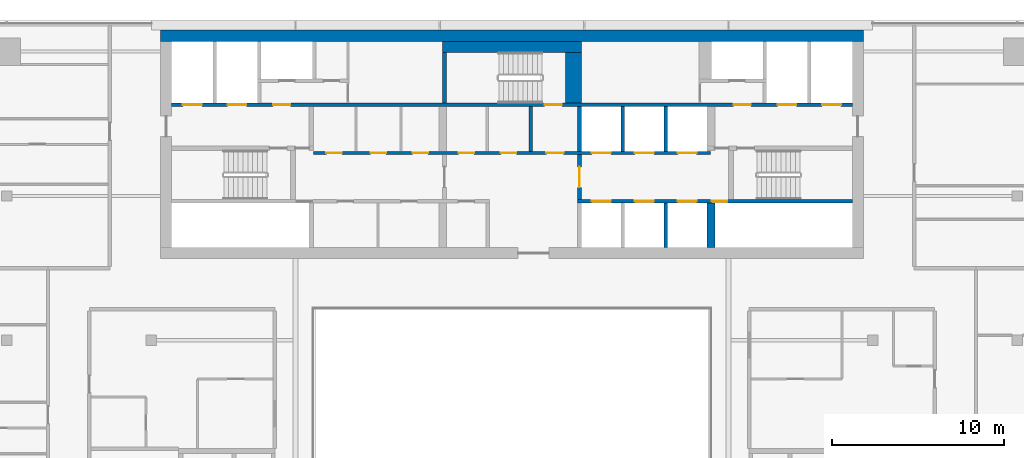
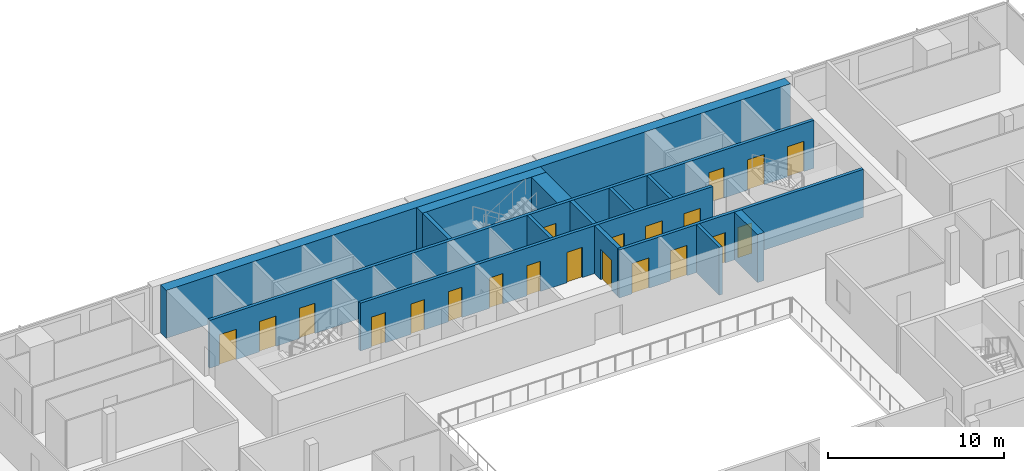
# One storey, part 21 of 28: 21 doors, 14 walls, 21 openings.
"""IFC4 building model written with IfcOpenShell, lengths in metres."""

from ifc_helpers import new_model, si_unit, direction, frame, frame_2d, origin, place, context, subcontext, project, spatial, rectangle, extrude, material, layer, layer_set, type_object, element, fill, save


model = new_model("IFC4")

# Units and contexts
model_context = context("Model", 3, precision=1e-05, world=origin(), true_north=direction((0.0, 1.0)))
body_context = subcontext(model_context, "Body", "Model", "MODEL_VIEW")
ifc_project = project(units=[si_unit("LENGTHUNIT", "METRE"), si_unit("AREAUNIT", "SQUARE_METRE"), si_unit("VOLUMEUNIT", "CUBIC_METRE"), si_unit("PLANEANGLEUNIT", "RADIAN"), si_unit("MASSUNIT", "GRAM", prefix="KILO")], contexts=[model_context])

# Site, building, storey
site_placement = place(None, origin())
site = spatial("IfcSite", under=ifc_project, at=site_placement, CompositionType="ELEMENT")
building_placement = place(site_placement, origin())
building = spatial("IfcBuilding", under=site, at=building_placement, Name="Saffron Gate Tower", CompositionType="ELEMENT")
storey_placement = place(building_placement, frame((0.0, 0.0, 241.5)))
storey = spatial("IfcBuildingStorey", under=building, at=storey_placement, Name="L59", CompositionType="ELEMENT", Elevation=241.5)

# Wall
ifc_material_1 = material(Name="Gypsum board partition on steel studs", Category="steel")
ifc_layer_1 = layer(ifc_material_1, 0.199951171875)
ifc_layer_set_1 = layer_set([ifc_layer_1], Name="CW10 Core partition 200")
wall_type_1 = type_object("IfcWallType", Name="CW10 Core partition 200", PredefinedType="PARTITIONING", material=ifc_layer_set_1)
wall_1_placement = place(storey_placement, frame((88.699951171875, 68.0, 0.0), z_axis=(0.0, 0.0, 1.0), x_axis=(0.0, 1.0, 0.0)))
element("IfcWall", 1, at=wall_1_placement, inside=storey, type_object=wall_type_1, Name="Wall CW10-L59-24", PredefinedType="PARTITIONING", context=body_context, shape_type="SweptSolid", body=[
    extrude(rectangle(XDim=2.60009765625, YDim=0.199951171875, at=frame_2d((1.300048828125, 0.0))), origin(), (0.0, 0.0, 1.0), 3.320068359375),
])

# Wall, opening, door
ifc_material_2 = material(Name="Concrete C60", Category="concrete")
ifc_layer_2 = layer(ifc_material_2, 0.25)
ifc_layer_set_2 = layer_set([ifc_layer_2], Name="CW14 RC core wall 250 C60")
wall_type_2 = type_object("IfcWallType", Name="CW14 RC core wall 250 C60", PredefinedType="SOLIDWALL", material=ifc_layer_set_2)
wall_2_placement = place(storey_placement, frame((91.52490234375, 65.199951171875, 0.0), z_axis=(0.0, 0.0, 1.0), x_axis=(0.0, 1.0, 0.0)))
wall_2 = element("IfcWall", 2, at=wall_2_placement, inside=storey, type_object=wall_type_2, Name="Wall CW14-L59-17", PredefinedType="SOLIDWALL", context=body_context, shape_type="SweptSolid", body=[
    extrude(rectangle(XDim=2.60009765625, YDim=0.25, at=frame_2d((1.300048828125, 0.0))), origin(), (0.0, 0.0, 1.0), 3.320068359375),
])
opening_1_placement = place(wall_2_placement, frame((0.699951171875, 0.0, 0.0)))
opening_1 = element("IfcOpeningElement", 3, at=opening_1_placement, cuts=wall_2, Name="Opening CR-01", PredefinedType="OPENING", context=body_context, shape_type="SweptSolid", body=[
    extrude(rectangle(XDim=1.199951171875, YDim=2.10009765625, at=frame_2d((0.60009765625, 1.050048828125))), frame((0.0, 0.135009765625, 0.0), z_axis=(0.0, -1.0, 0.0), x_axis=(1.0, 0.0, 0.0)), (0.0, 0.0, 1.0), 0.27001953125),
])
ifc_material_3 = material(Name="Steel fire door set", Category="steel")
door_type_1 = type_object("IfcDoorType", Name="CD3 Lobby door 1200x2100 EI 120", OperationType="NOTDEFINED", PredefinedType="DOOR", material=ifc_material_3)
door_1_placement = place(opening_1_placement, origin())
door_1 = element("IfcDoor", 4, at=door_1_placement, inside=storey, type_object=door_type_1, Name="DOOR CR-01", OperationType="SINGLE_SWING_RIGHT", OverallHeight=2.10009765625, OverallWidth=1.199951171875, PredefinedType="DOOR", context=body_context, shape_type="SweptSolid", body=[
    extrude(rectangle(XDim=1.199951171875, YDim=2.10009765625, at=frame_2d((0.60009765625, 1.050048828125))), frame((0.0, 0.02490234375, 0.0), z_axis=(0.0, -1.0, 0.0), x_axis=(1.0, 0.0, 0.0)), (0.0, 0.0, 1.0), 0.050048828125),
])
fill(opening_1, door_1)

# Walls
wall_3_placement = place(storey_placement, frame((91.52490234375, 68.0, 0.0), z_axis=(0.0, 0.0, 1.0), x_axis=(0.0, 1.0, 0.0)))
element("IfcWall", 5, at=wall_3_placement, inside=storey, type_object=wall_type_2, Name="Wall CW14-L59-25", PredefinedType="SOLIDWALL", context=body_context, shape_type="SweptSolid", body=[
    extrude(rectangle(XDim=2.60009765625, YDim=0.25, at=frame_2d((1.300048828125, 0.0))), origin(), (0.0, 0.0, 1.0), 3.320068359375),
])
wall_4_placement = place(storey_placement, frame((83.675048828125, 70.800048828125, 0.0), z_axis=(0.0, 0.0, 1.0), x_axis=(0.0, 1.0, 0.0)))
element("IfcWall", 6, at=wall_4_placement, inside=storey, type_object=wall_type_2, Name="Wall CW14-L59-37", PredefinedType="SOLIDWALL", context=body_context, shape_type="SweptSolid", body=[
    extrude(rectangle(XDim=2.949951171875, YDim=0.25, at=frame_2d((1.47509765625, 0.0))), origin(), (0.0, 0.0, 1.0), 3.320068359375),
])
ifc_layer_3 = layer(ifc_material_2, 0.199951171875)
ifc_layer_set_3 = layer_set([ifc_layer_3], Name="CW15 RC core wall 200 C60")
wall_type_3 = type_object("IfcWallType", Name="CW15 RC core wall 200 C60", PredefinedType="SOLIDWALL", material=ifc_layer_set_3)
wall_5_placement = place(storey_placement, frame((96.550048828125, 62.39990234375, 0.0), z_axis=(0.0, 0.0, 1.0), x_axis=(0.0, 1.0, 0.0)))
element("IfcWall", 7, at=wall_5_placement, inside=storey, type_object=wall_type_3, Name="Wall CW15-L59-11", PredefinedType="SOLIDWALL", context=body_context, shape_type="SweptSolid", body=[
    extrude(rectangle(XDim=2.60009765625, YDim=0.199951171875, at=frame_2d((1.300048828125, 0.0))), origin(), (0.0, 0.0, 1.0), 3.320068359375),
])

# Wall, openings, doors
wall_6_placement = place(storey_placement, frame((91.39990234375, 65.10009765625, 0.0), z_axis=(0.0, 0.0, 1.0), x_axis=(1.0, 0.0, 0.0)))
wall_6 = element("IfcWall", 8, at=wall_6_placement, inside=storey, type_object=wall_type_3, Name="Wall CW15-L59-14", PredefinedType="SOLIDWALL", context=body_context, shape_type="SweptSolid", body=[
    extrude(rectangle(XDim=16.0, YDim=0.199951171875, at=frame_2d((8.0, 0.0))), origin(), (0.0, 0.0, 1.0), 3.320068359375),
])
opening_2_placement = place(wall_6_placement, frame((0.85009765625, 0.0, 0.0)))
opening_2 = element("IfcOpeningElement", 9, at=opening_2_placement, cuts=wall_6, Name="Opening LD-HR1", PredefinedType="OPENING", context=body_context, shape_type="SweptSolid", body=[
    extrude(rectangle(XDim=1.10009765625, YDim=2.10009765625, at=frame_2d((0.550048828125, 1.050048828125))), frame((0.0, 0.10986328125, 0.0), z_axis=(0.0, -1.0, 0.0), x_axis=(1.0, 0.0, 0.0)), (0.0, 0.0, 1.0), 0.219970703125),
])
opening_3_placement = place(wall_6_placement, frame((3.35009765625, 0.0, 0.0)))
opening_3 = element("IfcOpeningElement", 10, at=opening_3_placement, cuts=wall_6, Name="Opening LD-HR2", PredefinedType="OPENING", context=body_context, shape_type="SweptSolid", body=[
    extrude(rectangle(XDim=1.10009765625, YDim=2.10009765625, at=frame_2d((0.550048828125, 1.050048828125))), frame((0.0, 0.10986328125, 0.0), z_axis=(0.0, -1.0, 0.0), x_axis=(1.0, 0.0, 0.0)), (0.0, 0.0, 1.0), 0.219970703125),
])
opening_4_placement = place(wall_6_placement, frame((5.85009765625, 0.0, 0.0)))
opening_4 = element("IfcOpeningElement", 11, at=opening_4_placement, cuts=wall_6, Name="Opening LD-HR3", PredefinedType="OPENING", context=body_context, shape_type="SweptSolid", body=[
    extrude(rectangle(XDim=1.10009765625, YDim=2.10009765625, at=frame_2d((0.550048828125, 1.050048828125))), frame((0.0, 0.10986328125, 0.0), z_axis=(0.0, -1.0, 0.0), x_axis=(1.0, 0.0, 0.0)), (0.0, 0.0, 1.0), 0.219970703125),
])
opening_5_placement = place(wall_6_placement, frame((7.830078125, 0.0, 0.0)))
opening_5 = element("IfcOpeningElement", 12, at=opening_5_placement, cuts=wall_6, Name="Opening CR-48", PredefinedType="OPENING", context=body_context, shape_type="SweptSolid", body=[
    extrude(rectangle(XDim=0.89990234375, YDim=2.10009765625, at=frame_2d((0.449951171875, 1.050048828125))), frame((0.0, 0.10986328125, 0.0), z_axis=(0.0, -1.0, 0.0), x_axis=(1.0, 0.0, 0.0)), (0.0, 0.0, 1.0), 0.219970703125),
])
door_type_2 = type_object("IfcDoorType", Name="CD2 Riser door 900x2100 EI 60", OperationType="NOTDEFINED", PredefinedType="DOOR", material=ifc_material_3)
door_2_placement = place(opening_5_placement, origin())
door_2 = element("IfcDoor", 13, at=door_2_placement, inside=storey, type_object=door_type_2, Name="DOOR CR-48", OperationType="SINGLE_SWING_RIGHT", OverallHeight=2.10009765625, OverallWidth=0.89990234375, PredefinedType="DOOR", context=body_context, shape_type="SweptSolid", body=[
    extrude(rectangle(XDim=0.89990234375, YDim=2.10009765625, at=frame_2d((0.449951171875, 1.050048828125))), frame((0.0, 0.02490234375, 0.0), z_axis=(0.0, -1.0, 0.0), x_axis=(1.0, 0.0, 0.0)), (0.0, 0.0, 1.0), 0.050048828125),
])
fill(opening_5, door_2)
ifc_material_4 = material(Name="Stainless steel landing door", Category="steel")
door_type_3 = type_object("IfcDoorType", Name="LD Lift landing door 1100x2100 EI 120", OperationType="SLIDING_TO_LEFT", PredefinedType="DOOR", material=ifc_material_4)
door_3_placement = place(opening_2_placement, origin())
door_3 = element("IfcDoor", 14, at=door_3_placement, inside=storey, type_object=door_type_3, Name="LANDING DOOR LD-HR1", OperationType="SLIDING_TO_LEFT", OverallHeight=2.10009765625, OverallWidth=1.10009765625, PredefinedType="DOOR", context=body_context, shape_type="SweptSolid", body=[
    extrude(rectangle(XDim=1.10009765625, YDim=2.10009765625, at=frame_2d((0.550048828125, 1.050048828125))), frame((0.0, 0.02490234375, 0.0), z_axis=(0.0, -1.0, 0.0), x_axis=(1.0, 0.0, 0.0)), (0.0, 0.0, 1.0), 0.050048828125),
])
fill(opening_2, door_3)
door_4_placement = place(opening_3_placement, origin())
door_4 = element("IfcDoor", 15, at=door_4_placement, inside=storey, type_object=door_type_3, Name="LANDING DOOR LD-HR2", OperationType="SLIDING_TO_LEFT", OverallHeight=2.10009765625, OverallWidth=1.10009765625, PredefinedType="DOOR", context=body_context, shape_type="SweptSolid", body=[
    extrude(rectangle(XDim=1.10009765625, YDim=2.10009765625, at=frame_2d((0.550048828125, 1.050048828125))), frame((0.0, 0.02490234375, 0.0), z_axis=(0.0, -1.0, 0.0), x_axis=(1.0, 0.0, 0.0)), (0.0, 0.0, 1.0), 0.050048828125),
])
fill(opening_3, door_4)
door_5_placement = place(opening_4_placement, origin())
door_5 = element("IfcDoor", 16, at=door_5_placement, inside=storey, type_object=door_type_3, Name="LANDING DOOR LD-HR3", OperationType="SLIDING_TO_LEFT", OverallHeight=2.10009765625, OverallWidth=1.10009765625, PredefinedType="DOOR", context=body_context, shape_type="SweptSolid", body=[
    extrude(rectangle(XDim=1.10009765625, YDim=2.10009765625, at=frame_2d((0.550048828125, 1.050048828125))), frame((0.0, 0.02490234375, 0.0), z_axis=(0.0, -1.0, 0.0), x_axis=(1.0, 0.0, 0.0)), (0.0, 0.0, 1.0), 0.050048828125),
])
fill(opening_4, door_5)

wall_7_placement = place(storey_placement, frame((76.050048828125, 67.89990234375, 0.0), z_axis=(0.0, 0.0, 1.0), x_axis=(1.0, 0.0, 0.0)))
wall_7 = element("IfcWall", 17, at=wall_7_placement, inside=storey, type_object=wall_type_3, Name="Wall CW15-L59-19", PredefinedType="SOLIDWALL", context=body_context, shape_type="SweptSolid", body=[
    extrude(rectangle(XDim=23.099853515625, YDim=0.199951171875, at=frame_2d((11.5498046875, 0.0))), origin(), (0.0, 0.0, 1.0), 3.320068359375),
])
opening_6_placement = place(wall_7_placement, frame((0.75, 0.0, 0.0)))
opening_6 = element("IfcOpeningElement", 18, at=opening_6_placement, cuts=wall_7, Name="Opening CR-61", PredefinedType="OPENING", context=body_context, shape_type="SweptSolid", body=[
    extrude(rectangle(XDim=0.89990234375, YDim=2.10009765625, at=frame_2d((0.449951171875, 1.050048828125))), frame((0.0, 0.10986328125, 0.0), z_axis=(0.0, -1.0, 0.0), x_axis=(1.0, 0.0, 0.0)), (0.0, 0.0, 1.0), 0.219970703125),
])
opening_7_placement = place(wall_7_placement, frame((3.320068359375, 0.0, 0.0)))
opening_7 = element("IfcOpeningElement", 19, at=opening_7_placement, cuts=wall_7, Name="Opening CR-62", PredefinedType="OPENING", context=body_context, shape_type="SweptSolid", body=[
    extrude(rectangle(XDim=0.89990234375, YDim=2.10009765625, at=frame_2d((0.449951171875, 1.050048828125))), frame((0.0, 0.10986328125, 0.0), z_axis=(0.0, -1.0, 0.0), x_axis=(1.0, 0.0, 0.0)), (0.0, 0.0, 1.0), 0.219970703125),
])
opening_8_placement = place(wall_7_placement, frame((5.77001953125, 0.0, 0.0)))
opening_8 = element("IfcOpeningElement", 20, at=opening_8_placement, cuts=wall_7, Name="Opening CR-63", PredefinedType="OPENING", context=body_context, shape_type="SweptSolid", body=[
    extrude(rectangle(XDim=0.89990234375, YDim=2.10009765625, at=frame_2d((0.449951171875, 1.050048828125))), frame((0.0, 0.10986328125, 0.0), z_axis=(0.0, -1.0, 0.0), x_axis=(1.0, 0.0, 0.0)), (0.0, 0.0, 1.0), 0.219970703125),
])
opening_9_placement = place(wall_7_placement, frame((8.449951171875, 0.0, 0.0)))
opening_9 = element("IfcOpeningElement", 21, at=opening_9_placement, cuts=wall_7, Name="Opening CR-67", PredefinedType="OPENING", context=body_context, shape_type="SweptSolid", body=[
    extrude(rectangle(XDim=0.89990234375, YDim=2.10009765625, at=frame_2d((0.449951171875, 1.050048828125))), frame((0.0, 0.10986328125, 0.0), z_axis=(0.0, -1.0, 0.0), x_axis=(1.0, 0.0, 0.0)), (0.0, 0.0, 1.0), 0.219970703125),
])
opening_10_placement = place(wall_7_placement, frame((10.909912109375, 0.0, 0.0)))
opening_10 = element("IfcOpeningElement", 22, at=opening_10_placement, cuts=wall_7, Name="Opening CR-68", PredefinedType="OPENING", context=body_context, shape_type="SweptSolid", body=[
    extrude(rectangle(XDim=0.89990234375, YDim=2.10009765625, at=frame_2d((0.449951171875, 1.050048828125))), frame((0.0, 0.10986328125, 0.0), z_axis=(0.0, -1.0, 0.0), x_axis=(1.0, 0.0, 0.0)), (0.0, 0.0, 1.0), 0.219970703125),
])
opening_11_placement = place(wall_7_placement, frame((13.550048828125, 0.0, 0.0)))
opening_11 = element("IfcOpeningElement", 23, at=opening_11_placement, cuts=wall_7, Name="Opening CR-02", PredefinedType="OPENING", context=body_context, shape_type="SweptSolid", body=[
    extrude(rectangle(XDim=1.0, YDim=2.10009765625, at=frame_2d((0.5, 1.050048828125))), frame((0.0, 0.10986328125, 0.0), z_axis=(0.0, -1.0, 0.0), x_axis=(1.0, 0.0, 0.0)), (0.0, 0.0, 1.0), 0.219970703125),
])
opening_12_placement = place(wall_7_placement, frame((16.199951171875, 0.0, 0.0)))
opening_12 = element("IfcOpeningElement", 24, at=opening_12_placement, cuts=wall_7, Name="Opening LD-HR4", PredefinedType="OPENING", context=body_context, shape_type="SweptSolid", body=[
    extrude(rectangle(XDim=1.10009765625, YDim=2.10009765625, at=frame_2d((0.550048828125, 1.050048828125))), frame((0.0, 0.10986328125, 0.0), z_axis=(0.0, -1.0, 0.0), x_axis=(1.0, 0.0, 0.0)), (0.0, 0.0, 1.0), 0.219970703125),
])
opening_13_placement = place(wall_7_placement, frame((18.699951171875, 0.0, 0.0)))
opening_13 = element("IfcOpeningElement", 25, at=opening_13_placement, cuts=wall_7, Name="Opening LD-HR5", PredefinedType="OPENING", context=body_context, shape_type="SweptSolid", body=[
    extrude(rectangle(XDim=1.10009765625, YDim=2.10009765625, at=frame_2d((0.550048828125, 1.050048828125))), frame((0.0, 0.10986328125, 0.0), z_axis=(0.0, -1.0, 0.0), x_axis=(1.0, 0.0, 0.0)), (0.0, 0.0, 1.0), 0.219970703125),
])
opening_14_placement = place(wall_7_placement, frame((21.199951171875, 0.0, 0.0)))
opening_14 = element("IfcOpeningElement", 26, at=opening_14_placement, cuts=wall_7, Name="Opening LD-HR6", PredefinedType="OPENING", context=body_context, shape_type="SweptSolid", body=[
    extrude(rectangle(XDim=1.10009765625, YDim=2.10009765625, at=frame_2d((0.550048828125, 1.050048828125))), frame((0.0, 0.10986328125, 0.0), z_axis=(0.0, -1.0, 0.0), x_axis=(1.0, 0.0, 0.0)), (0.0, 0.0, 1.0), 0.219970703125),
])
door_type_4 = type_object("IfcDoorType", Name="CD4 Lobby door 1000x2100 EI 120", OperationType="NOTDEFINED", PredefinedType="DOOR", material=ifc_material_3)
door_6_placement = place(opening_11_placement, origin())
door_6 = element("IfcDoor", 27, at=door_6_placement, inside=storey, type_object=door_type_4, Name="DOOR CR-02", OperationType="SINGLE_SWING_LEFT", OverallHeight=2.10009765625, OverallWidth=1.0, PredefinedType="DOOR", context=body_context, shape_type="SweptSolid", body=[
    extrude(rectangle(XDim=1.0, YDim=2.10009765625, at=frame_2d((0.5, 1.050048828125))), frame((0.0, 0.02490234375, 0.0), z_axis=(0.0, -1.0, 0.0), x_axis=(1.0, 0.0, 0.0)), (0.0, 0.0, 1.0), 0.050048828125),
])
fill(opening_11, door_6)
door_type_5 = type_object("IfcDoorType", Name="CD9 Room door 900x2100 EI 60", OperationType="NOTDEFINED", PredefinedType="DOOR", material=ifc_material_3)
door_7_placement = place(opening_6_placement, origin())
door_7 = element("IfcDoor", 28, at=door_7_placement, inside=storey, type_object=door_type_5, Name="DOOR CR-61", OperationType="SINGLE_SWING_LEFT", OverallHeight=2.10009765625, OverallWidth=0.89990234375, PredefinedType="DOOR", context=body_context, shape_type="SweptSolid", body=[
    extrude(rectangle(XDim=0.89990234375, YDim=2.10009765625, at=frame_2d((0.449951171875, 1.050048828125))), frame((0.0, 0.02490234375, 0.0), z_axis=(0.0, -1.0, 0.0), x_axis=(1.0, 0.0, 0.0)), (0.0, 0.0, 1.0), 0.050048828125),
])
fill(opening_6, door_7)
door_8_placement = place(opening_7_placement, origin())
door_8 = element("IfcDoor", 29, at=door_8_placement, inside=storey, type_object=door_type_5, Name="DOOR CR-62", OperationType="SINGLE_SWING_LEFT", OverallHeight=2.10009765625, OverallWidth=0.89990234375, PredefinedType="DOOR", context=body_context, shape_type="SweptSolid", body=[
    extrude(rectangle(XDim=0.89990234375, YDim=2.10009765625, at=frame_2d((0.449951171875, 1.050048828125))), frame((0.0, 0.02490234375, 0.0), z_axis=(0.0, -1.0, 0.0), x_axis=(1.0, 0.0, 0.0)), (0.0, 0.0, 1.0), 0.050048828125),
])
fill(opening_7, door_8)
door_9_placement = place(opening_8_placement, origin())
door_9 = element("IfcDoor", 30, at=door_9_placement, inside=storey, type_object=door_type_5, Name="DOOR CR-63", OperationType="SINGLE_SWING_LEFT", OverallHeight=2.10009765625, OverallWidth=0.89990234375, PredefinedType="DOOR", context=body_context, shape_type="SweptSolid", body=[
    extrude(rectangle(XDim=0.89990234375, YDim=2.10009765625, at=frame_2d((0.449951171875, 1.050048828125))), frame((0.0, 0.02490234375, 0.0), z_axis=(0.0, -1.0, 0.0), x_axis=(1.0, 0.0, 0.0)), (0.0, 0.0, 1.0), 0.050048828125),
])
fill(opening_8, door_9)
door_10_placement = place(opening_9_placement, origin())
door_10 = element("IfcDoor", 31, at=door_10_placement, inside=storey, type_object=door_type_5, Name="DOOR CR-67", OperationType="SINGLE_SWING_LEFT", OverallHeight=2.10009765625, OverallWidth=0.89990234375, PredefinedType="DOOR", context=body_context, shape_type="SweptSolid", body=[
    extrude(rectangle(XDim=0.89990234375, YDim=2.10009765625, at=frame_2d((0.449951171875, 1.050048828125))), frame((0.0, 0.02490234375, 0.0), z_axis=(0.0, -1.0, 0.0), x_axis=(1.0, 0.0, 0.0)), (0.0, 0.0, 1.0), 0.050048828125),
])
fill(opening_9, door_10)
door_11_placement = place(opening_10_placement, origin())
door_11 = element("IfcDoor", 32, at=door_11_placement, inside=storey, type_object=door_type_5, Name="DOOR CR-68", OperationType="SINGLE_SWING_LEFT", OverallHeight=2.10009765625, OverallWidth=0.89990234375, PredefinedType="DOOR", context=body_context, shape_type="SweptSolid", body=[
    extrude(rectangle(XDim=0.89990234375, YDim=2.10009765625, at=frame_2d((0.449951171875, 1.050048828125))), frame((0.0, 0.02490234375, 0.0), z_axis=(0.0, -1.0, 0.0), x_axis=(1.0, 0.0, 0.0)), (0.0, 0.0, 1.0), 0.050048828125),
])
fill(opening_10, door_11)
door_12_placement = place(opening_12_placement, origin())
door_12 = element("IfcDoor", 33, at=door_12_placement, inside=storey, type_object=door_type_3, Name="LANDING DOOR LD-HR4", OperationType="SLIDING_TO_RIGHT", OverallHeight=2.10009765625, OverallWidth=1.10009765625, PredefinedType="DOOR", context=body_context, shape_type="SweptSolid", body=[
    extrude(rectangle(XDim=1.10009765625, YDim=2.10009765625, at=frame_2d((0.550048828125, 1.050048828125))), frame((0.0, 0.02490234375, 0.0), z_axis=(0.0, -1.0, 0.0), x_axis=(1.0, 0.0, 0.0)), (0.0, 0.0, 1.0), 0.050048828125),
])
fill(opening_12, door_12)
door_13_placement = place(opening_13_placement, origin())
door_13 = element("IfcDoor", 34, at=door_13_placement, inside=storey, type_object=door_type_3, Name="LANDING DOOR LD-HR5", OperationType="SLIDING_TO_RIGHT", OverallHeight=2.10009765625, OverallWidth=1.10009765625, PredefinedType="DOOR", context=body_context, shape_type="SweptSolid", body=[
    extrude(rectangle(XDim=1.10009765625, YDim=2.10009765625, at=frame_2d((0.550048828125, 1.050048828125))), frame((0.0, 0.02490234375, 0.0), z_axis=(0.0, -1.0, 0.0), x_axis=(1.0, 0.0, 0.0)), (0.0, 0.0, 1.0), 0.050048828125),
])
fill(opening_13, door_13)
door_14_placement = place(opening_14_placement, origin())
door_14 = element("IfcDoor", 35, at=door_14_placement, inside=storey, type_object=door_type_3, Name="LANDING DOOR LD-HR6", OperationType="SLIDING_TO_RIGHT", OverallHeight=2.10009765625, OverallWidth=1.10009765625, PredefinedType="DOOR", context=body_context, shape_type="SweptSolid", body=[
    extrude(rectangle(XDim=1.10009765625, YDim=2.10009765625, at=frame_2d((0.550048828125, 1.050048828125))), frame((0.0, 0.02490234375, 0.0), z_axis=(0.0, -1.0, 0.0), x_axis=(1.0, 0.0, 0.0)), (0.0, 0.0, 1.0), 0.050048828125),
])
fill(opening_14, door_14)

# Walls
for number, where, z_axis, x_axis, name in (
    (36, (94.050048828125, 68.0, 0.0), (0.0, 0.0, 1.0), (0.0, 1.0, 0.0), "Wall CW15-L59-26"),
    (37, (96.550048828125, 68.0, 0.0), (0.0, 0.0, 1.0), (0.0, 1.0, 0.0), "Wall CW15-L59-27"),
):
    element("IfcWall", number, at=place(storey_placement, frame(where, z_axis=z_axis, x_axis=x_axis)), inside=storey, type_object=wall_type_3, Name=name, PredefinedType="SOLIDWALL", context=body_context, shape_type="SweptSolid", body=[
        extrude(rectangle(XDim=2.60009765625, YDim=0.199951171875, at=frame_2d((1.300048828125, 0.0))), origin(), (0.0, 0.0, 1.0), 3.320068359375),
    ])

# Wall, openings, doors
wall_8_placement = place(storey_placement, frame((67.800048828125, 70.699951171875, 0.0), z_axis=(0.0, 0.0, 1.0), x_axis=(1.0, 0.0, 0.0)))
wall_8 = element("IfcWall", 38, at=wall_8_placement, inside=storey, type_object=wall_type_3, Name="Wall CW15-L59-33", PredefinedType="SOLIDWALL", context=body_context, shape_type="SweptSolid", body=[
    extrude(rectangle(XDim=39.599853515625, YDim=0.199951171875, at=frame_2d((19.7998046875, 0.0))), origin(), (0.0, 0.0, 1.0), 3.320068359375),
])
opening_15_placement = place(wall_8_placement, frame((0.64990234375, 0.0, 0.0)))
opening_15 = element("IfcOpeningElement", 39, at=opening_15_placement, cuts=wall_8, Name="Opening LD-FF1", PredefinedType="OPENING", context=body_context, shape_type="SweptSolid", body=[
    extrude(rectangle(XDim=1.10009765625, YDim=2.10009765625, at=frame_2d((0.550048828125, 1.050048828125))), frame((0.0, 0.10986328125, 0.0), z_axis=(0.0, -1.0, 0.0), x_axis=(1.0, 0.0, 0.0)), (0.0, 0.0, 1.0), 0.219970703125),
])
opening_16_placement = place(wall_8_placement, frame((3.25, 0.0, 0.0)))
opening_16 = element("IfcOpeningElement", 40, at=opening_16_placement, cuts=wall_8, Name="Opening LD-SV1", PredefinedType="OPENING", context=body_context, shape_type="SweptSolid", body=[
    extrude(rectangle(XDim=1.10009765625, YDim=2.10009765625, at=frame_2d((0.550048828125, 1.050048828125))), frame((0.0, 0.10986328125, 0.0), z_axis=(0.0, -1.0, 0.0), x_axis=(1.0, 0.0, 0.0)), (0.0, 0.0, 1.0), 0.219970703125),
])
opening_17_placement = place(wall_8_placement, frame((5.89990234375, 0.0, 0.0)))
opening_17 = element("IfcOpeningElement", 41, at=opening_17_placement, cuts=wall_8, Name="Opening CR-03", PredefinedType="OPENING", context=body_context, shape_type="SweptSolid", body=[
    extrude(rectangle(XDim=1.0, YDim=2.10009765625, at=frame_2d((0.5, 1.050048828125))), frame((0.0, 0.10986328125, 0.0), z_axis=(0.0, -1.0, 0.0), x_axis=(1.0, 0.0, 0.0)), (0.0, 0.0, 1.0), 0.219970703125),
])
opening_18_placement = place(wall_8_placement, frame((21.699951171875, 0.0, 0.0)))
opening_18 = element("IfcOpeningElement", 42, at=opening_18_placement, cuts=wall_8, Name="Opening CR-17", PredefinedType="OPENING", context=body_context, shape_type="SweptSolid", body=[
    extrude(rectangle(XDim=1.0, YDim=2.10009765625, at=frame_2d((0.5, 1.050048828125))), frame((0.0, 0.10986328125, 0.0), z_axis=(0.0, -1.0, 0.0), x_axis=(1.0, 0.0, 0.0)), (0.0, 0.0, 1.0), 0.219970703125),
])
opening_19_placement = place(wall_8_placement, frame((32.699951171875, 0.0, 0.0)))
opening_19 = element("IfcOpeningElement", 43, at=opening_19_placement, cuts=wall_8, Name="Opening CR-04", PredefinedType="OPENING", context=body_context, shape_type="SweptSolid", body=[
    extrude(rectangle(XDim=1.0, YDim=2.10009765625, at=frame_2d((0.5, 1.050048828125))), frame((0.0, 0.10986328125, 0.0), z_axis=(0.0, -1.0, 0.0), x_axis=(1.0, 0.0, 0.0)), (0.0, 0.0, 1.0), 0.219970703125),
])
opening_20_placement = place(wall_8_placement, frame((35.25, 0.0, 0.0)))
opening_20 = element("IfcOpeningElement", 44, at=opening_20_placement, cuts=wall_8, Name="Opening LD-SV2", PredefinedType="OPENING", context=body_context, shape_type="SweptSolid", body=[
    extrude(rectangle(XDim=1.10009765625, YDim=2.10009765625, at=frame_2d((0.550048828125, 1.050048828125))), frame((0.0, 0.10986328125, 0.0), z_axis=(0.0, -1.0, 0.0), x_axis=(1.0, 0.0, 0.0)), (0.0, 0.0, 1.0), 0.219970703125),
])
opening_21_placement = place(wall_8_placement, frame((37.85009765625, 0.0, 0.0)))
opening_21 = element("IfcOpeningElement", 45, at=opening_21_placement, cuts=wall_8, Name="Opening LD-FF2", PredefinedType="OPENING", context=body_context, shape_type="SweptSolid", body=[
    extrude(rectangle(XDim=1.10009765625, YDim=2.10009765625, at=frame_2d((0.550048828125, 1.050048828125))), frame((0.0, 0.10986328125, 0.0), z_axis=(0.0, -1.0, 0.0), x_axis=(1.0, 0.0, 0.0)), (0.0, 0.0, 1.0), 0.219970703125),
])
door_15_placement = place(opening_17_placement, origin())
door_15 = element("IfcDoor", 46, at=door_15_placement, inside=storey, type_object=door_type_4, Name="DOOR CR-03", OperationType="SINGLE_SWING_LEFT", OverallHeight=2.10009765625, OverallWidth=1.0, PredefinedType="DOOR", context=body_context, shape_type="SweptSolid", body=[
    extrude(rectangle(XDim=1.0, YDim=2.10009765625, at=frame_2d((0.5, 1.050048828125))), frame((0.0, 0.02490234375, 0.0), z_axis=(0.0, -1.0, 0.0), x_axis=(1.0, 0.0, 0.0)), (0.0, 0.0, 1.0), 0.050048828125),
])
fill(opening_17, door_15)
door_16_placement = place(opening_19_placement, origin())
door_16 = element("IfcDoor", 47, at=door_16_placement, inside=storey, type_object=door_type_4, Name="DOOR CR-04", OperationType="SINGLE_SWING_RIGHT", OverallHeight=2.10009765625, OverallWidth=1.0, PredefinedType="DOOR", context=body_context, shape_type="SweptSolid", body=[
    extrude(rectangle(XDim=1.0, YDim=2.10009765625, at=frame_2d((0.5, 1.050048828125))), frame((0.0, 0.02490234375, 0.0), z_axis=(0.0, -1.0, 0.0), x_axis=(1.0, 0.0, 0.0)), (0.0, 0.0, 1.0), 0.050048828125),
])
fill(opening_19, door_16)
door_type_6 = type_object("IfcDoorType", Name="CD5 Stair door 1000x2100 EI 120", OperationType="NOTDEFINED", PredefinedType="DOOR", material=ifc_material_3)
door_17_placement = place(opening_18_placement, origin())
door_17 = element("IfcDoor", 48, at=door_17_placement, inside=storey, type_object=door_type_6, Name="DOOR CR-17", OperationType="SINGLE_SWING_RIGHT", OverallHeight=2.10009765625, OverallWidth=1.0, PredefinedType="DOOR", context=body_context, shape_type="SweptSolid", body=[
    extrude(rectangle(XDim=1.0, YDim=2.10009765625, at=frame_2d((0.5, 1.050048828125))), frame((0.0, 0.02490234375, 0.0), z_axis=(0.0, -1.0, 0.0), x_axis=(1.0, 0.0, 0.0)), (0.0, 0.0, 1.0), 0.050048828125),
])
fill(opening_18, door_17)
door_18_placement = place(opening_15_placement, origin())
door_18 = element("IfcDoor", 49, at=door_18_placement, inside=storey, type_object=door_type_3, Name="LANDING DOOR LD-FF1", OperationType="SLIDING_TO_RIGHT", OverallHeight=2.10009765625, OverallWidth=1.10009765625, PredefinedType="DOOR", context=body_context, shape_type="SweptSolid", body=[
    extrude(rectangle(XDim=1.10009765625, YDim=2.10009765625, at=frame_2d((0.550048828125, 1.050048828125))), frame((0.0, 0.02490234375, 0.0), z_axis=(0.0, -1.0, 0.0), x_axis=(1.0, 0.0, 0.0)), (0.0, 0.0, 1.0), 0.050048828125),
])
fill(opening_15, door_18)
door_19_placement = place(opening_16_placement, origin())
door_19 = element("IfcDoor", 50, at=door_19_placement, inside=storey, type_object=door_type_3, Name="LANDING DOOR LD-SV1", OperationType="SLIDING_TO_RIGHT", OverallHeight=2.10009765625, OverallWidth=1.10009765625, PredefinedType="DOOR", context=body_context, shape_type="SweptSolid", body=[
    extrude(rectangle(XDim=1.10009765625, YDim=2.10009765625, at=frame_2d((0.550048828125, 1.050048828125))), frame((0.0, 0.02490234375, 0.0), z_axis=(0.0, -1.0, 0.0), x_axis=(1.0, 0.0, 0.0)), (0.0, 0.0, 1.0), 0.050048828125),
])
fill(opening_16, door_19)
door_20_placement = place(opening_20_placement, origin())
door_20 = element("IfcDoor", 51, at=door_20_placement, inside=storey, type_object=door_type_3, Name="LANDING DOOR LD-SV2", OperationType="SLIDING_TO_RIGHT", OverallHeight=2.10009765625, OverallWidth=1.10009765625, PredefinedType="DOOR", context=body_context, shape_type="SweptSolid", body=[
    extrude(rectangle(XDim=1.10009765625, YDim=2.10009765625, at=frame_2d((0.550048828125, 1.050048828125))), frame((0.0, 0.02490234375, 0.0), z_axis=(0.0, -1.0, 0.0), x_axis=(1.0, 0.0, 0.0)), (0.0, 0.0, 1.0), 0.050048828125),
])
fill(opening_20, door_20)
door_21_placement = place(opening_21_placement, origin())
door_21 = element("IfcDoor", 52, at=door_21_placement, inside=storey, type_object=door_type_3, Name="LANDING DOOR LD-FF2", OperationType="SLIDING_TO_RIGHT", OverallHeight=2.10009765625, OverallWidth=1.10009765625, PredefinedType="DOOR", context=body_context, shape_type="SweptSolid", body=[
    extrude(rectangle(XDim=1.10009765625, YDim=2.10009765625, at=frame_2d((0.550048828125, 1.050048828125))), frame((0.0, 0.02490234375, 0.0), z_axis=(0.0, -1.0, 0.0), x_axis=(1.0, 0.0, 0.0)), (0.0, 0.0, 1.0), 0.050048828125),
])
fill(opening_21, door_21)

# Walls
ifc_layer_4 = layer(ifc_material_2, 0.449951171875)
ifc_layer_set_4 = layer_set([ifc_layer_4], Name="CW16 RC core wall 450 C60")
wall_type_4 = type_object("IfcWallType", Name="CW16 RC core wall 450 C60", PredefinedType="SOLIDWALL", material=ifc_layer_set_4)
wall_9_placement = place(storey_placement, frame((99.175048828125, 62.39990234375, 0.0), z_axis=(0.0, 0.0, 1.0), x_axis=(0.0, 1.0, 0.0)))
element("IfcWall", 53, at=wall_9_placement, inside=storey, type_object=wall_type_4, Name="Wall CW16-L59-12", PredefinedType="SOLIDWALL", context=body_context, shape_type="SweptSolid", body=[
    extrude(rectangle(XDim=2.60009765625, YDim=0.449951171875, at=frame_2d((1.300048828125, 0.0))), origin(), (0.0, 0.0, 1.0), 3.320068359375),
])
ifc_layer_5 = layer(ifc_material_2, 0.949951171875)
ifc_layer_set_5 = layer_set([ifc_layer_5], Name="CW19 RC core wall 950 C60")
wall_type_5 = type_object("IfcWallType", Name="CW19 RC core wall 950 C60", PredefinedType="SOLIDWALL", material=ifc_layer_set_5)
wall_10_placement = place(storey_placement, frame((91.175048828125, 70.800048828125, 0.0), z_axis=(0.0, 0.0, 1.0), x_axis=(0.0, 1.0, 0.0)))
element("IfcWall", 54, at=wall_10_placement, inside=storey, type_object=wall_type_5, Name="Wall CW19-L59-38", PredefinedType="SOLIDWALL", context=body_context, shape_type="SweptSolid", body=[
    extrude(rectangle(XDim=2.949951171875, YDim=0.949951171875, at=frame_2d((1.47509765625, 0.0))), origin(), (0.0, 0.0, 1.0), 3.320068359375),
])
ifc_layer_6 = layer(ifc_material_2, 0.64990234375)
ifc_layer_set_6 = layer_set([ifc_layer_6], Name="CW20 RC core wall 650 C60")
wall_type_6 = type_object("IfcWallType", Name="CW20 RC core wall 650 C60", PredefinedType="SOLIDWALL", material=ifc_layer_set_6)
wall_11_placement = place(storey_placement, frame((67.14990234375, 74.72509765625, 0.0), z_axis=(0.0, 0.0, 1.0), x_axis=(1.0, 0.0, 0.0)))
element("IfcWall", 55, at=wall_11_placement, inside=storey, type_object=wall_type_6, Name="Wall CW20-L59-2", PredefinedType="SOLIDWALL", context=body_context, shape_type="SweptSolid", body=[
    extrude(rectangle(XDim=40.900146484375, YDim=0.64990234375, at=frame_2d((20.4501953125, 0.0))), origin(), (0.0, 0.0, 1.0), 3.320068359375),
])
wall_12_placement = place(storey_placement, frame((83.550048828125, 74.074951171875, 0.0), z_axis=(0.0, 0.0, 1.0), x_axis=(1.0, 0.0, 0.0)))
element("IfcWall", 56, at=wall_12_placement, inside=storey, type_object=wall_type_6, Name="Wall CW20-L59-49", PredefinedType="SOLIDWALL", context=body_context, shape_type="SweptSolid", body=[
    extrude(rectangle(XDim=8.099853515625, YDim=0.64990234375, at=frame_2d((4.0498046875, 0.0))), origin(), (0.0, 0.0, 1.0), 3.320068359375),
])

save(model, "model.ifc")
